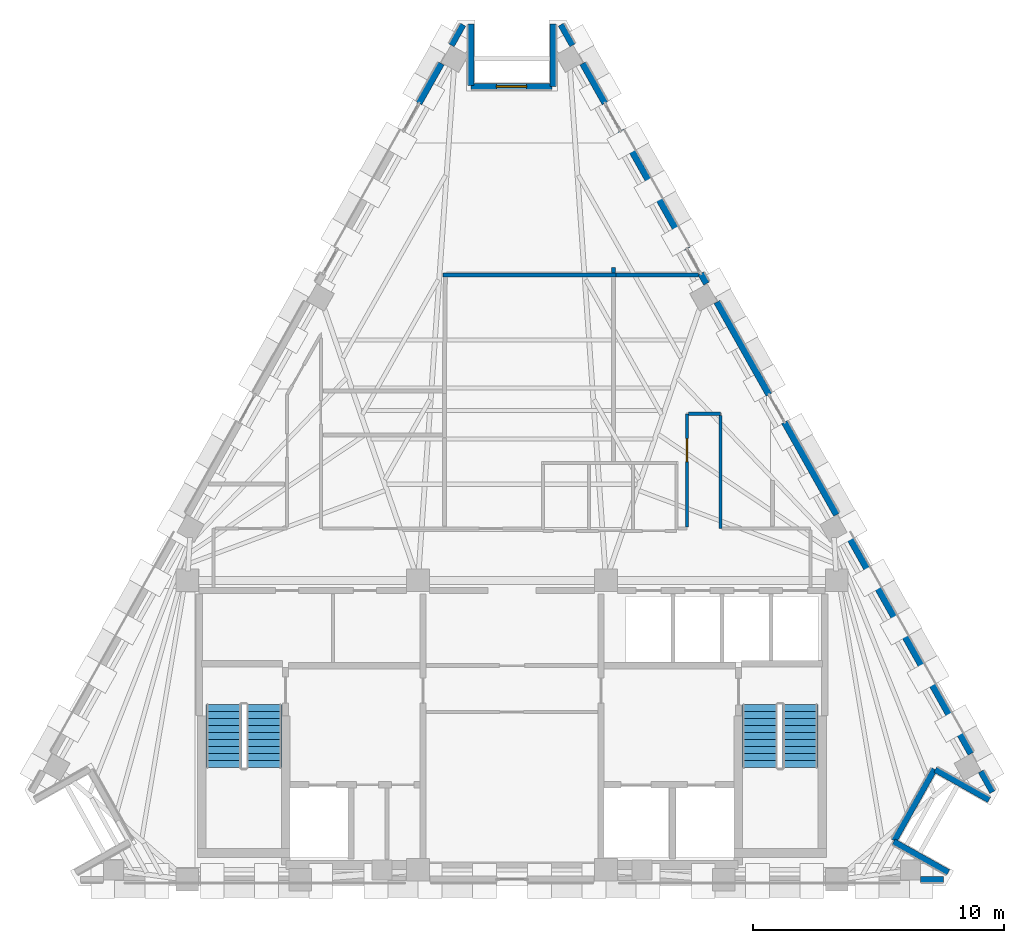
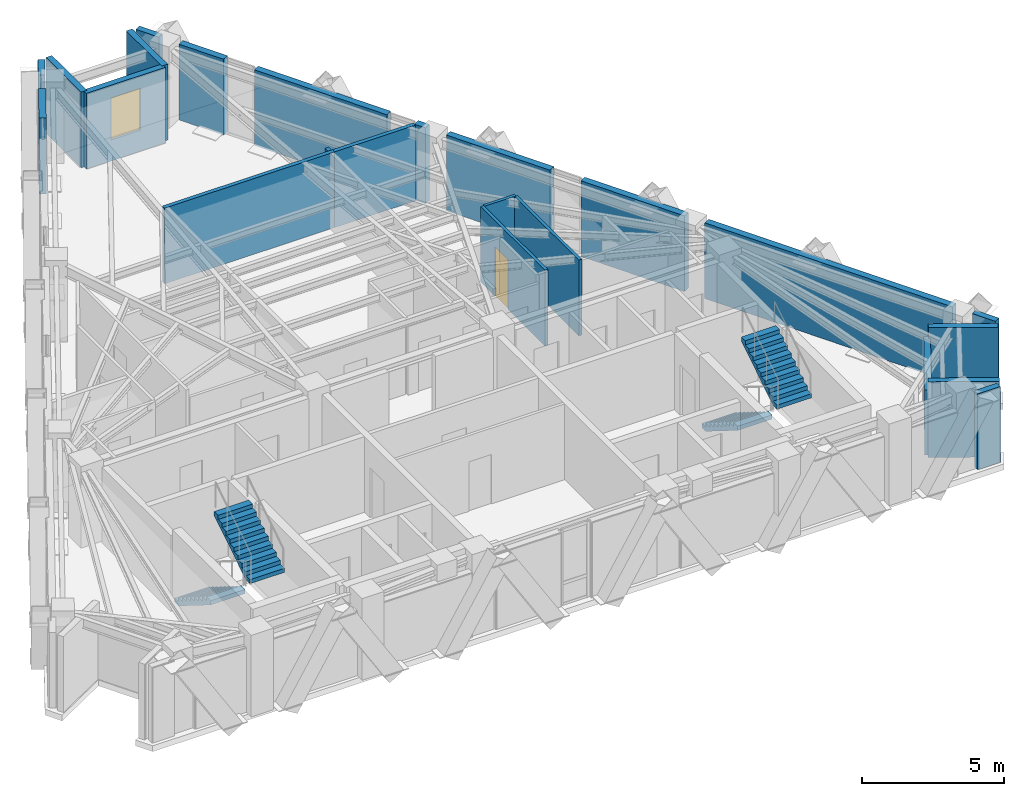
# One storey, part 7 of 9: 23 walls, 4 stair flights, 1 door, 1 window, 2 openings, 2 elements without a shape of their own.
"""IFC4 building model written with IfcOpenShell, lengths in metres."""

from ifc_helpers import new_model, si_unit, direction, frame, frame_2d, origin, place, context, subcontext, project, spatial, polyline, rectangle, outline, extrude, material, layer, layer_set, type_object, element, fill, aggregate, save


model = new_model("IFC4")

# Units and contexts
model_context = context("Model", 3, precision=1e-05, world=origin(), true_north=direction((0.0, 1.0)))
body_context = subcontext(model_context, "Body", "Model", "MODEL_VIEW")
ifc_project = project(units=[si_unit("LENGTHUNIT", "METRE"), si_unit("AREAUNIT", "SQUARE_METRE"), si_unit("VOLUMEUNIT", "CUBIC_METRE"), si_unit("PLANEANGLEUNIT", "RADIAN"), si_unit("MASSUNIT", "GRAM", prefix="KILO")], contexts=[model_context])

# Site, building, storey
site_placement = place(None, origin())
site = spatial("IfcSite", under=ifc_project, at=site_placement, CompositionType="ELEMENT")
building_placement = place(site_placement, origin())
building = spatial("IfcBuilding", under=site, at=building_placement, Name="Quenlor Broadcast Tower", CompositionType="ELEMENT")
storey_placement = place(building_placement, frame((0.0, 0.0, 246.39990234375)))
storey = spatial("IfcBuildingStorey", under=building, at=storey_placement, Name="L68", CompositionType="ELEMENT", Elevation=246.39990234375)

# Walls
ifc_material_1 = material(Name="Gypsum Fireboard Partition", Category="other")
ifc_layer_1 = layer(ifc_material_1, 0.159912109375)
ifc_layer_set_1 = layer_set([ifc_layer_1], Name="Fire Rated Shaft and Corridor Partition 160")
wall_type_1 = type_object("IfcWallType", Name="Fire Rated Shaft and Corridor Partition 160", PredefinedType="PARTITIONING", material=ifc_layer_set_1)
wall_1_placement = place(storey_placement, frame((4.139892578125, 7.3935546875, 0.0), z_axis=(0.0, 0.0, 1.0), x_axis=(-1.0, 0.0, 0.0)))
element("IfcWall", 1, at=wall_1_placement, inside=storey, type_object=wall_type_1, Name="L68 Interior Wall PW-DV-01", PredefinedType="PARTITIONING", context=body_context, shape_type="SweptSolid", body=[
    extrude(rectangle(XDim=6.89990234375, YDim=0.159912109375, at=frame_2d((3.449951171875, 0.0))), origin(), (0.0, 0.0, 1.0), 3.25),
])
wall_2_placement = place(storey_placement, frame((7.433349609375, 7.389892578125, 0.0), z_axis=(0.0, 0.0, 1.0), x_axis=(-0.999999460761, 0.001038498068, 0.0)))
element("IfcWall", 2, at=wall_2_placement, inside=storey, type_object=wall_type_1, Name="L68 Interior Wall PW-DV-03", PredefinedType="PARTITIONING", context=body_context, shape_type="SweptSolid", body=[
    extrude(rectangle(XDim=3.291259765625, YDim=0.159912109375, at=frame_2d((1.6455078125, 0.0))), origin(), (0.0, 0.0, 1.0), 3.25),
])
wall_3_placement = place(storey_placement, frame((4.0400390625, 7.679931640625, 0.0), z_axis=(0.0, 0.0, 1.0), x_axis=(0.0, -1.0, 0.0)))
element("IfcWall", 3, at=wall_3_placement, inside=storey, type_object=wall_type_1, Name="L68 Interior Wall PW-DV-05", PredefinedType="PARTITIONING", context=body_context, shape_type="SweptSolid", body=[
    extrude(rectangle(XDim=0.204345703125, YDim=0.159912109375, at=frame_2d((0.10205078125, 0.0))), origin(), (0.0, 0.0, 1.0), 3.25),
])

# Wall, opening, door
ifc_material_2 = material(Name="Gypsum Plasterboard Partition", Category="other")
ifc_layer_2 = layer(ifc_material_2, 0.1201171875)
ifc_layer_set_2 = layer_set([ifc_layer_2], Name="Standard Office Partition 120")
wall_type_2 = type_object("IfcWallType", Name="Standard Office Partition 120", PredefinedType="PARTITIONING", material=ifc_layer_set_2)
wall_4_placement = place(storey_placement, frame((6.97998046875, -2.66796875, 0.0), z_axis=(0.0, 0.0, 1.0), x_axis=(0.0, 1.0, 0.0)))
wall_4 = element("IfcWall", 4, at=wall_4_placement, inside=storey, type_object=wall_type_2, Name="L68 Interior Wall PW-CR-09", PredefinedType="PARTITIONING", context=body_context, shape_type="SweptSolid", body=[
    extrude(rectangle(XDim=4.51806640625, YDim=0.1201171875, at=frame_2d((2.259033203125, 0.0))), origin(), (0.0, 0.0, 1.0), 3.25),
])
opening_1_placement = place(wall_4_placement, frame((2.60791015625, 0.0, 0.0)))
opening_1 = element("IfcOpeningElement", 5, at=opening_1_placement, cuts=wall_4, Name="Opening ID-1", PredefinedType="OPENING", context=body_context, shape_type="SweptSolid", body=[
    extrude(rectangle(XDim=0.919921875, YDim=2.1201171875, at=frame_2d((0.4599609375, 1.06005859375))), frame((0.0, 0.070068359375, 0.0), z_axis=(0.0, -1.0, 0.0), x_axis=(1.0, 0.0, 0.0)), (0.0, 0.0, 1.0), 0.14013671875),
])
ifc_material_3 = material(Name="Solid Core Timber Oak", Category="wood")
door_type = type_object("IfcDoorType", Name="Single Leaf Timber Office Door 920x2120", OperationType="NOTDEFINED", PredefinedType="DOOR", material=ifc_material_3)
door_placement = place(opening_1_placement, origin())
door = element("IfcDoor", 6, at=door_placement, inside=storey, type_object=door_type, Name="L68 Door DR-RM03", OperationType="SINGLE_SWING_RIGHT", OverallHeight=2.1201171875, OverallWidth=0.919921875, PredefinedType="DOOR", context=body_context, shape_type="SweptSolid", body=[
    extrude(rectangle(XDim=0.919921875, YDim=2.1201171875, at=frame_2d((0.4599609375, 1.06005859375))), frame((0.0, 0.02490234375, 0.0), z_axis=(0.0, -1.0, 0.0), x_axis=(1.0, 0.0, 0.0)), (0.0, 0.0, 1.0), 0.050048828125),
])
fill(opening_1, door)

# Walls
wall_5_placement = place(storey_placement, frame((7.0419921875, 1.85009765625, 0.0), z_axis=(0.0, 0.0, 1.0), x_axis=(1.0, 0.0, 0.0)))
element("IfcWall", 7, at=wall_5_placement, inside=storey, type_object=wall_type_2, Name="L68 Interior Wall PW-CR-10", PredefinedType="PARTITIONING", context=body_context, shape_type="SweptSolid", body=[
    extrude(rectangle(XDim=1.278076171875, YDim=0.1201171875, at=frame_2d((0.63916015625, 0.0))), origin(), (0.0, 0.0, 1.0), 3.25),
])
wall_6_placement = place(storey_placement, frame((8.320068359375, 1.7880859375, 0.0), z_axis=(0.0, 0.0, 1.0), x_axis=(0.0, -1.0, 0.0)))
element("IfcWall", 8, at=wall_6_placement, inside=storey, type_object=wall_type_2, Name="L68 Interior Wall PW-CR-11", PredefinedType="PARTITIONING", context=body_context, shape_type="SweptSolid", body=[
    extrude(rectangle(XDim=4.51806640625, YDim=0.1201171875, at=frame_2d((2.259033203125, 0.0))), origin(), (0.0, 0.0, 1.0), 3.25),
])
ifc_material_4 = material(Name="Precast concrete C40/50", Category="concrete")
ifc_layer_3 = layer(ifc_material_4, 0.239990234375)
ifc_layer_set_3 = layer_set([ifc_layer_3], Name="Terrace Threshold Precast Concrete C40/50 Wall 240")
wall_type_3 = type_object("IfcWallType", Name="Terrace Threshold Precast Concrete C40/50 Wall 240", PredefinedType="STANDARD", material=ifc_layer_set_3)
wall_7_placement = place(storey_placement, frame((17.219970703125, -16.72509765625, 0.0), z_axis=(0.0, 0.0, 1.0), x_axis=(-1.0, 0.0, 0.0)))
element("IfcWall", 9, at=wall_7_placement, inside=storey, type_object=wall_type_3, Name="L68 Exterior Wall L68-SHD-SS0", PredefinedType="STANDARD", context=body_context, shape_type="SweptSolid", body=[
    extrude(rectangle(XDim=0.91748046875, YDim=0.239990234375, at=frame_2d((0.458740234375, 0.0))), origin(), (0.0, 0.0, 1.0), 3.25),
])
for number, where, z_axis, x_axis, name in (
    (10, (1.94970703125, 17.372802734375, 0.0), (0.0, 0.0, 1.0), (0.490199895283, -0.871610040479, 0.0), "L68 Exterior Wall L68-SHD-NES0"),
    (11, (18.707763671875, -12.4189453125, 0.0), (0.0, 0.0, 1.0), (0.490199895283, -0.871610040479, 0.0), "L68 Exterior Wall L68-SHD-NES1"),
    (12, (-2.412841796875, 16.54931640625, 0.0), (0.0, 0.0, 1.0), (0.490199895283, 0.871610040479, 0.0), "L68 Exterior Wall L68-SHD-NWS1"),
):
    element("IfcWall", number, at=place(storey_placement, frame(where, z_axis=z_axis, x_axis=x_axis)), inside=storey, type_object=wall_type_3, Name=name, PredefinedType="STANDARD", context=body_context, shape_type="SweptSolid", body=[
        extrude(rectangle(XDim=0.94482421875, YDim=0.239990234375, at=frame_2d((0.472412109375, 0.0))), origin(), (0.0, 0.0, 1.0), 3.25),
    ])
wall_8_placement = place(storey_placement, frame((17.40771484375, -16.446533203125, 0.0), z_axis=(0.0, 0.0, 1.0), x_axis=(-0.871588577066, 0.490238056792, 0.0)))
element("IfcWall", 13, at=wall_8_placement, inside=storey, type_object=wall_type_3, Name="L68 Exterior Wall L68-CNR-01", PredefinedType="STANDARD", context=body_context, shape_type="SweptSolid", body=[
    extrude(rectangle(XDim=2.5, YDim=0.239990234375, at=frame_2d((1.25, 0.0))), origin(), (0.0, 0.0, 1.0), 3.25),
])
wall_9_placement = place(storey_placement, frame((15.248291015625, -15.18603515625, 0.0), z_axis=(0.0, 0.0, 1.0), x_axis=(0.490293083368, 0.871557624258, 0.0)))
element("IfcWall", 14, at=wall_9_placement, inside=storey, type_object=wall_type_3, Name="L68 Exterior Wall L68-CNR-02", PredefinedType="STANDARD", context=body_context, shape_type="SweptSolid", body=[
    extrude(rectangle(XDim=3.276123046875, YDim=0.239990234375, at=frame_2d((1.63818359375, 0.0))), origin(), (0.0, 0.0, 1.0), 2.789794921875),
])
wall_10_placement = place(storey_placement, frame((16.889404296875, -12.350341796875, 0.0), z_axis=(0.0, 0.0, 1.0), x_axis=(0.87157023615, -0.490270663468, 0.0)))
element("IfcWall", 15, at=wall_10_placement, inside=storey, type_object=wall_type_3, Name="L68 Exterior Wall L68-CNR-03", PredefinedType="STANDARD", context=body_context, shape_type="SweptSolid", body=[
    extrude(rectangle(XDim=2.4599609375, YDim=0.239990234375, at=frame_2d((1.22998046875, 0.0))), origin(), (0.0, 0.0, 1.0), 3.25),
])
wall_11_placement = place(storey_placement, frame((1.62890625, 17.39990234375, 0.0), z_axis=(0.0, 0.0, 1.0), x_axis=(0.0, -1.0, 0.0)))
element("IfcWall", 16, at=wall_11_placement, inside=storey, type_object=wall_type_3, Name="L68 Exterior Wall L68-CNR-07", PredefinedType="STANDARD", context=body_context, shape_type="SweptSolid", body=[
    extrude(rectangle(XDim=2.5, YDim=0.239990234375, at=frame_2d((1.25, 0.0))), origin(), (0.0, 0.0, 1.0), 3.25),
])

# Wall, opening, window
wall_12_placement = place(storey_placement, frame((1.5888671875, 14.89990234375, 0.0), z_axis=(0.0, 0.0, 1.0), x_axis=(-1.0, 0.0, 0.0)))
wall_12 = element("IfcWall", 17, at=wall_12_placement, inside=storey, type_object=wall_type_3, Name="L68 Exterior Wall L68-CNR-08", PredefinedType="STANDARD", context=body_context, shape_type="SweptSolid", body=[
    extrude(rectangle(XDim=3.2177734375, YDim=0.239990234375, at=frame_2d((1.60888671875, 0.0))), origin(), (0.0, 0.0, 1.0), 3.25),
])
opening_2_placement = place(wall_12_placement, frame((1.009033203125, 0.0, 0.89990234375)))
opening_2 = element("IfcOpeningElement", 18, at=opening_2_placement, cuts=wall_12, Name="Opening WN-5", PredefinedType="OPENING", context=body_context, shape_type="SweptSolid", body=[
    extrude(rectangle(XDim=1.199951171875, YDim=1.800048828125, at=frame_2d((0.60009765625, 0.89990234375))), frame((0.0, 0.1298828125, 0.0), z_axis=(0.0, -1.0, 0.0), x_axis=(1.0, 0.0, 0.0)), (0.0, 0.0, 1.0), 0.260009765625),
])
ifc_material_5 = material(Name="Thermally Broken Aluminium and Low-E Glass", Category="aluminium")
window_type = type_object("IfcWindowType", Name="Corner Chamfer Punched Window 1200x1800", PartitioningType="SINGLE_PANEL", PredefinedType="WINDOW", material=ifc_material_5)
window_placement = place(opening_2_placement, origin())
window = element("IfcWindow", 19, at=window_placement, inside=storey, type_object=window_type, Name="L68 Corner Chamfer Window 8", OverallHeight=1.800048828125, OverallWidth=1.199951171875, PartitioningType="SINGLE_PANEL", PredefinedType="WINDOW", context=body_context, shape_type="SweptSolid", body=[
    extrude(rectangle(XDim=1.199951171875, YDim=1.800048828125, at=frame_2d((0.60009765625, 0.89990234375))), frame((0.0, 0.030029296875, 0.0), z_axis=(0.0, -1.0, 0.0), x_axis=(1.0, 0.0, 0.0)), (0.0, 0.0, 1.0), 0.06005859375),
])
fill(opening_2, window)

# Walls
wall_13_placement = place(storey_placement, frame((-1.62890625, 14.93994140625, 0.0), z_axis=(0.0, 0.0, 1.0), x_axis=(0.0, 1.0, 0.0)))
element("IfcWall", 20, at=wall_13_placement, inside=storey, type_object=wall_type_3, Name="L68 Exterior Wall L68-CNR-09", PredefinedType="STANDARD", context=body_context, shape_type="SweptSolid", body=[
    extrude(rectangle(XDim=2.4599609375, YDim=0.239990234375, at=frame_2d((1.22998046875, 0.0))), origin(), (0.0, 0.0, 1.0), 3.25),
])
ifc_material_6 = material(Name="Precast concrete C40/50", Category="concrete")
ifc_layer_4 = layer(ifc_material_6, 0.260009765625)
ifc_layer_set_4 = layer_set([ifc_layer_4], Name="Terracotta Precast Concrete C40/50 Upper Wall 260")
wall_type_4 = type_object("IfcWallType", Name="Terracotta Precast Concrete C40/50 Upper Wall 260", PredefinedType="STANDARD", material=ifc_layer_set_4)
wall_14_placement = place(storey_placement, frame((2.81982421875, 15.825927734375, 0.0), z_axis=(0.0, 0.0, 1.0), x_axis=(0.490261239633, -0.871575537125, 0.0)))
element("IfcWall", 21, at=wall_14_placement, inside=storey, type_object=wall_type_4, Name="L68 Exterior Wall L68-NEA-SP1", PredefinedType="STANDARD", context=body_context, shape_type="SweptSolid", body=[
    extrude(rectangle(XDim=1.819580078125, YDim=0.260009765625, at=frame_2d((0.90966796875, 0.0))), origin(), (0.0, 0.0, 1.0), 3.25),
])
wall_15_placement = place(storey_placement, frame((4.329833984375, 13.1416015625, 0.0), z_axis=(0.0, 0.0, 1.0), x_axis=(0.490265525523, -0.871573126297, 0.0)))
element("IfcWall", 22, at=wall_15_placement, inside=storey, type_object=wall_type_4, Name="L68 Exterior Wall L68-NEA-SP2", PredefinedType="STANDARD", context=body_context, shape_type="SweptSolid", body=[
    extrude(rectangle(XDim=5.408935546875, YDim=0.260009765625, at=frame_2d((2.70458984375, 0.0))), origin(), (0.0, 0.0, 1.0), 3.25),
])
wall_16_placement = place(storey_placement, frame((7.534423828125, 7.444580078125, 0.0), z_axis=(0.0, 0.0, 1.0), x_axis=(0.490412424957, -0.871490478116, 0.0)))
element("IfcWall", 23, at=wall_16_placement, inside=storey, type_object=wall_type_4, Name="L68 Exterior Wall L68-NEA-SP3", PredefinedType="STANDARD", context=body_context, shape_type="SweptSolid", body=[
    extrude(rectangle(XDim=0.4599609375, YDim=0.260009765625, at=frame_2d((0.22998046875, 0.0))), origin(), (0.0, 0.0, 1.0), 3.25),
])
wall_17_placement = place(storey_placement, frame((13.350830078125, -2.895751953125, 0.0), z_axis=(0.0, 0.0, 1.0), x_axis=(0.490266968583, -0.871572314565, 0.0)))
element("IfcWall", 24, at=wall_17_placement, inside=storey, type_object=wall_type_4, Name="L68 Exterior Wall L68-EW-NEC", PredefinedType="STANDARD", context=body_context, shape_type="SweptSolid", body=[
    extrude(rectangle(XDim=10.116455078125, YDim=0.260009765625, at=frame_2d((5.05810546875, 0.0))), origin(), (0.0, 0.0, 1.0), 3.25),
])
wall_18_placement = place(storey_placement, frame((8.17431640625, 6.30712890625, 0.0), z_axis=(0.0, 0.0, 1.0), x_axis=(0.490269447258, -0.871570920284, 0.0)))
element("IfcWall", 25, at=wall_18_placement, inside=storey, type_object=wall_type_4, Name="L68 Exterior Wall L68-NE-SP1", PredefinedType="STANDARD", context=body_context, shape_type="SweptSolid", body=[
    extrude(rectangle(XDim=4.23681640625, YDim=0.260009765625, at=frame_2d((2.118408203125, 0.0))), origin(), (0.0, 0.0, 1.0), 3.25),
])
wall_19_placement = place(storey_placement, frame((10.869140625, 1.51611328125, 0.0), z_axis=(0.0, 0.0, 1.0), x_axis=(0.490244825075, -0.871584770109, 0.0)))
element("IfcWall", 26, at=wall_19_placement, inside=storey, type_object=wall_type_4, Name="L68 Exterior Wall L68-NE-SP2", PredefinedType="STANDARD", context=body_context, shape_type="SweptSolid", body=[
    extrude(rectangle(XDim=4.237060546875, YDim=0.260009765625, at=frame_2d((2.11865234375, 0.0))), origin(), (0.0, 0.0, 1.0), 3.25),
])
wall_20_placement = place(storey_placement, frame((-3.7119140625, 14.239990234375, 0.0), z_axis=(0.0, 0.0, 1.0), x_axis=(0.490261239633, 0.871575537125, 0.0)))
element("IfcWall", 27, at=wall_20_placement, inside=storey, type_object=wall_type_4, Name="L68 Exterior Wall L68-NWC-SP3", PredefinedType="STANDARD", context=body_context, shape_type="SweptSolid", body=[
    extrude(rectangle(XDim=1.819580078125, YDim=0.260009765625, at=frame_2d((0.90966796875, 0.0))), origin(), (0.0, 0.0, 1.0), 3.25),
])

# Stair, stair flights
ifc_material_7 = material(Name="Precast concrete C40/50", Category="concrete")
stair_type = type_object("IfcStairType", Name="Precast Concrete C40/50 Dogleg Stair H350", PredefinedType="HALF_TURN_STAIR", material=ifc_material_7)
stair_1_placement = place(storey_placement, origin())
stair_1 = element("IfcStair", 28, at=stair_1_placement, inside=storey, type_object=stair_type, Name="L68 West Core Fire-Isolated Exit Stair ST-1", PredefinedType="HALF_TURN_STAIR")
ifc_material_8 = material(Name="Precast concrete C40/50", Category="concrete")
ifc_layer_5 = layer(ifc_material_8, 0.159912109375)
ifc_layer_set_5 = layer_set([ifc_layer_5], Name="Precast Concrete C40/50 Stair Flight H350")
stair_flight_type = type_object("IfcStairFlightType", Name="Precast Concrete C40/50 Stair Flight H350", PredefinedType="STRAIGHT", material=ifc_layer_set_5)
stair_flight_1_placement = place(storey_placement, frame((-11.5, -9.75, 0.0), z_axis=(0.0, 0.0, 1.0), x_axis=(0.0, -1.0, 0.0)))
stair_flight_1 = element("IfcStairFlight", 29, at=stair_flight_1_placement, type_object=stair_flight_type, Name="ST-1 flight 1", NumberOfRisers=10, NumberOfTreads=9, PredefinedType="STRAIGHT", RiserHeight=0.175, TreadLength=0.28, context=body_context, shape_type="SweptSolid", body=[
    extrude(outline(polyline([(0.0, 0.0), (0.0, 0.175048828125), (0.280029296875, 0.175048828125), (0.280029296875, 0.35009765625), (0.56005859375, 0.35009765625), (0.56005859375, 0.52490234375), (0.840087890625, 0.52490234375), (0.840087890625, 0.699951171875), (1.1201171875, 0.699951171875), (1.1201171875, 0.875), (1.39990234375, 0.875), (1.39990234375, 1.050048828125), (1.679931640625, 1.050048828125), (1.679931640625, 1.22509765625), (1.9599609375, 1.22509765625), (1.9599609375, 1.39990234375), (2.239990234375, 1.39990234375), (2.239990234375, 1.574951171875), (2.52001953125, 1.574951171875), (2.52001953125, 1.75), (2.52001953125, 1.398193359375), (0.28271484375, 0.0), (0.0, 0.0)])), frame((0.0, 0.699951171875, 0.0), z_axis=(0.0, -1.0, 0.0), x_axis=(1.0, 0.0, 0.0)), (0.0, 0.0, 1.0), 1.39990234375),
])
stair_flight_2_placement = place(storey_placement, frame((-9.89990234375, -12.27001953125, 1.75), z_axis=(0.0, 0.0, 1.0), x_axis=(0.0, 1.0, 0.0)))
stair_flight_2 = element("IfcStairFlight", 30, at=stair_flight_2_placement, type_object=stair_flight_type, Name="ST-1 flight 2", NumberOfRisers=10, NumberOfTreads=9, PredefinedType="STRAIGHT", RiserHeight=0.175, TreadLength=0.28, context=body_context, shape_type="SweptSolid", body=[
    extrude(outline(polyline([(0.0, 0.0), (0.0, 0.175048828125), (0.280029296875, 0.175048828125), (0.280029296875, 0.35009765625), (0.56005859375, 0.35009765625), (0.56005859375, 0.52490234375), (0.840087890625, 0.52490234375), (0.840087890625, 0.699951171875), (1.1201171875, 0.699951171875), (1.1201171875, 0.875), (1.39990234375, 0.875), (1.39990234375, 1.050048828125), (1.679931640625, 1.050048828125), (1.679931640625, 1.22509765625), (1.9599609375, 1.22509765625), (1.9599609375, 1.39990234375), (2.239990234375, 1.39990234375), (2.239990234375, 1.574951171875), (2.52001953125, 1.574951171875), (2.52001953125, 1.75), (2.52001953125, 1.398193359375), (0.28271484375, 0.0), (0.0, 0.0)])), frame((0.0, 0.699951171875, 0.0), z_axis=(0.0, -1.0, 0.0), x_axis=(1.0, 0.0, 0.0)), (0.0, 0.0, 1.0), 1.39990234375),
])
aggregate(stair_1, [stair_flight_1, stair_flight_2])

stair_2_placement = place(storey_placement, origin())
stair_2 = element("IfcStair", 31, at=stair_2_placement, inside=storey, type_object=stair_type, Name="L68 East Core Fire-Isolated Exit Stair ST-2", PredefinedType="HALF_TURN_STAIR")
stair_flight_3_placement = place(storey_placement, frame((9.89990234375, -9.75, 0.0), z_axis=(0.0, 0.0, 1.0), x_axis=(0.0, -1.0, 0.0)))
stair_flight_3 = element("IfcStairFlight", 32, at=stair_flight_3_placement, type_object=stair_flight_type, Name="ST-2 flight 1", NumberOfRisers=10, NumberOfTreads=9, PredefinedType="STRAIGHT", RiserHeight=0.175, TreadLength=0.28, context=body_context, shape_type="SweptSolid", body=[
    extrude(outline(polyline([(0.0, 0.0), (0.0, 0.175048828125), (0.280029296875, 0.175048828125), (0.280029296875, 0.35009765625), (0.56005859375, 0.35009765625), (0.56005859375, 0.52490234375), (0.840087890625, 0.52490234375), (0.840087890625, 0.699951171875), (1.1201171875, 0.699951171875), (1.1201171875, 0.875), (1.39990234375, 0.875), (1.39990234375, 1.050048828125), (1.679931640625, 1.050048828125), (1.679931640625, 1.22509765625), (1.9599609375, 1.22509765625), (1.9599609375, 1.39990234375), (2.239990234375, 1.39990234375), (2.239990234375, 1.574951171875), (2.52001953125, 1.574951171875), (2.52001953125, 1.75), (2.52001953125, 1.398193359375), (0.28271484375, 0.0), (0.0, 0.0)])), frame((0.0, 0.699951171875, 0.0), z_axis=(0.0, -1.0, 0.0), x_axis=(1.0, 0.0, 0.0)), (0.0, 0.0, 1.0), 1.39990234375),
])
stair_flight_4_placement = place(storey_placement, frame((11.5, -12.27001953125, 1.75), z_axis=(0.0, 0.0, 1.0), x_axis=(0.0, 1.0, 0.0)))
stair_flight_4 = element("IfcStairFlight", 33, at=stair_flight_4_placement, type_object=stair_flight_type, Name="ST-2 flight 2", NumberOfRisers=10, NumberOfTreads=9, PredefinedType="STRAIGHT", RiserHeight=0.175, TreadLength=0.28, context=body_context, shape_type="SweptSolid", body=[
    extrude(outline(polyline([(0.0, 0.0), (0.0, 0.175048828125), (0.280029296875, 0.175048828125), (0.280029296875, 0.35009765625), (0.56005859375, 0.35009765625), (0.56005859375, 0.52490234375), (0.840087890625, 0.52490234375), (0.840087890625, 0.699951171875), (1.1201171875, 0.699951171875), (1.1201171875, 0.875), (1.39990234375, 0.875), (1.39990234375, 1.050048828125), (1.679931640625, 1.050048828125), (1.679931640625, 1.22509765625), (1.9599609375, 1.22509765625), (1.9599609375, 1.39990234375), (2.239990234375, 1.39990234375), (2.239990234375, 1.574951171875), (2.52001953125, 1.574951171875), (2.52001953125, 1.75), (2.52001953125, 1.398193359375), (0.28271484375, 0.0), (0.0, 0.0)])), frame((0.0, 0.699951171875, 0.0), z_axis=(0.0, -1.0, 0.0), x_axis=(1.0, 0.0, 0.0)), (0.0, 0.0, 1.0), 1.39990234375),
])
aggregate(stair_2, [stair_flight_3, stair_flight_4])

save(model, "model.ifc")
